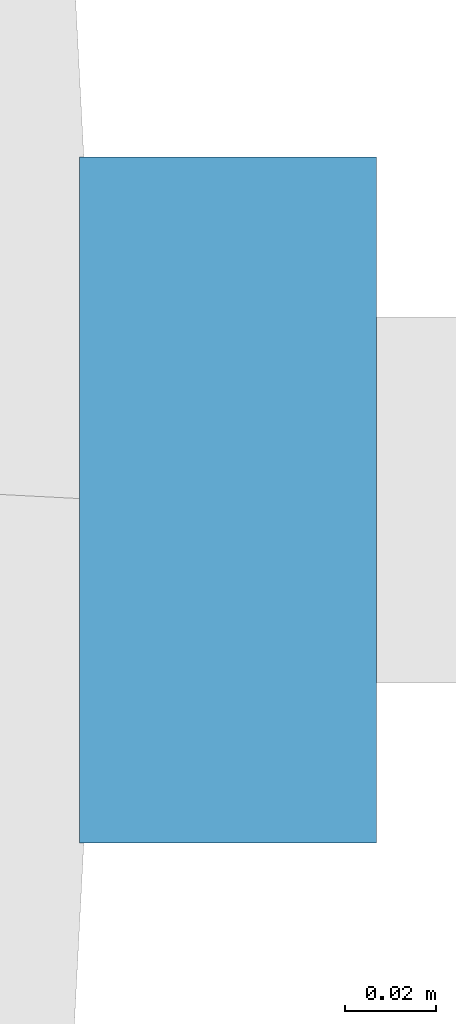
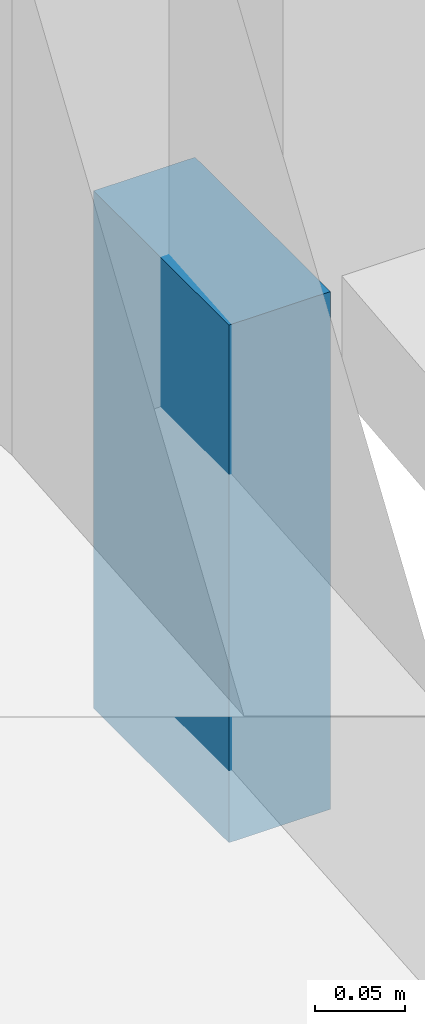
# One storey, part 16 of 20: 1 discrete accessory.
"""IFC4 building model written with IfcOpenShell, lengths in metres."""

from ifc_helpers import new_model, si_unit, direction, frame, origin, origin_2d, place, context, subcontext, project, spatial, rectangle, extrude, material, type_object, element, save


model = new_model("IFC4")

# Units and contexts
model_context = context("Model", 3, precision=1e-05, world=origin(), true_north=direction((0.0, 1.0)))
body_context = subcontext(model_context, "Body", "Model", "MODEL_VIEW")
ifc_project = project(units=[si_unit("LENGTHUNIT", "METRE"), si_unit("AREAUNIT", "SQUARE_METRE"), si_unit("VOLUMEUNIT", "CUBIC_METRE"), si_unit("PLANEANGLEUNIT", "RADIAN"), si_unit("MASSUNIT", "GRAM", prefix="KILO")], contexts=[model_context])

# Site, building, storey
site_placement = place(None, origin())
site = spatial("IfcSite", under=ifc_project, at=site_placement, CompositionType="ELEMENT")
building_placement = place(site_placement, origin())
building = spatial("IfcBuilding", under=site, at=building_placement, Name="Ghaith Harvest Tower", CompositionType="ELEMENT")
storey_placement = place(building_placement, frame((0.0, 0.0, 60.0)))
storey = spatial("IfcBuildingStorey", under=building, at=storey_placement, Name="L12", CompositionType="ELEMENT", Elevation=60.0)

# Discrete accessory
ifc_material = material(Name="Stainless steel grade 1.4401", Category="steel")
discrete_accessory_type = type_object("IfcDiscreteAccessoryType", Name="CURTAIN WALL BRACKET 65", PredefinedType="BRACKET", material=ifc_material)
discrete_accessory_placement = place(storey_placement, frame((34.152587890625, 0.0, -0.25), z_axis=(0.0, 0.0, 1.0), x_axis=(1.0, 0.0, 0.0)))
element("IfcDiscreteAccessory", 1, at=discrete_accessory_placement, inside=storey, type_object=discrete_accessory_type, Name="CW-F bracket 1 bay 01 L12", PredefinedType="BRACKET", context=body_context, shape_type="SweptSolid", body=[
    extrude(rectangle(XDim=0.06494140625, YDim=0.14990234375, at=origin_2d()), origin(), (0.0, 0.0, 1.0), 0.35009765625),
])

save(model, "model.ifc")
